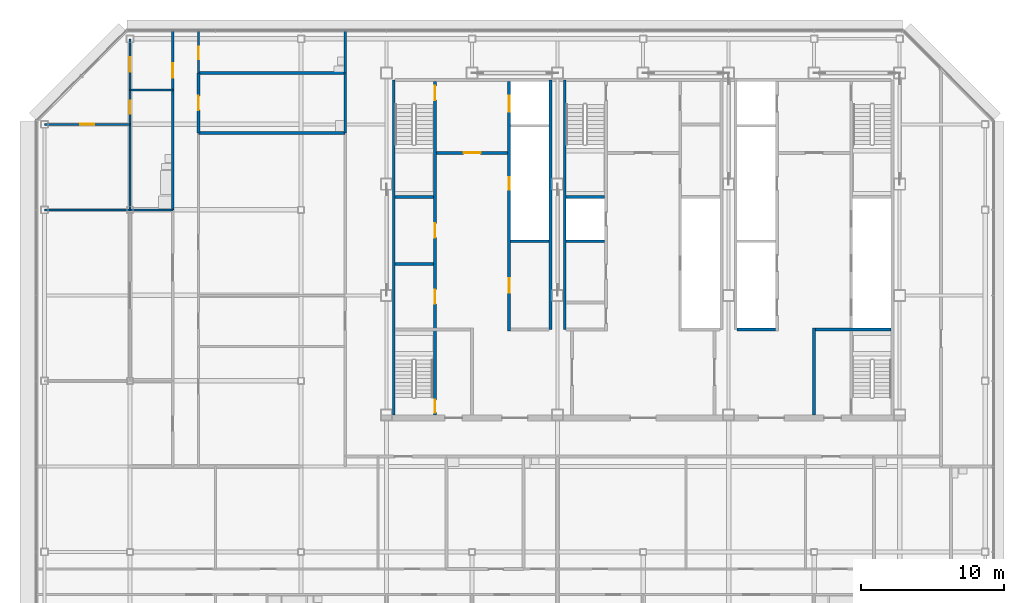
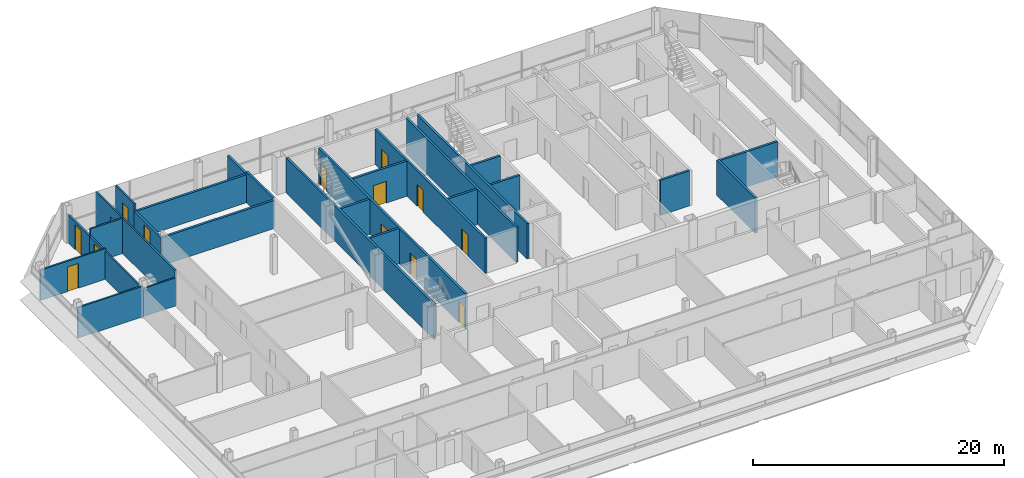
# One storey, part 23 of 27: 28 walls, 14 doors, 14 openings.
"""IFC4 building model written with IfcOpenShell, lengths in metres."""

from ifc_helpers import new_model, si_unit, direction, frame, frame_2d, origin, place, context, subcontext, project, spatial, rectangle, extrude, material, layer, layer_set, type_object, element, fill, save


model = new_model("IFC4")

# Units and contexts
model_context = context("Model", 3, precision=1e-05, world=origin(), true_north=direction((0.0, 1.0)))
body_context = subcontext(model_context, "Body", "Model", "MODEL_VIEW")
ifc_project = project(units=[si_unit("LENGTHUNIT", "METRE"), si_unit("AREAUNIT", "SQUARE_METRE"), si_unit("VOLUMEUNIT", "CUBIC_METRE"), si_unit("PLANEANGLEUNIT", "RADIAN"), si_unit("MASSUNIT", "GRAM", prefix="KILO")], contexts=[model_context])

# Site, building, storey
site_placement = place(None, origin())
site = spatial("IfcSite", under=ifc_project, at=site_placement, CompositionType="ELEMENT")
building_placement = place(site_placement, origin())
building = spatial("IfcBuilding", under=site, at=building_placement, Name="Sorahane Residences", CompositionType="ELEMENT")
storey_placement = place(building_placement, frame((0.0, 0.0, 312.39990234375)))
storey = spatial("IfcBuildingStorey", under=building, at=storey_placement, Name="L74", CompositionType="ELEMENT", Elevation=312.39990234375)

# Walls
ifc_material_1 = material(Name="Concrete C30", Category="concrete")
ifc_layer_1 = layer(ifc_material_1, 0.199951171875)
ifc_layer_set_1 = layer_set([ifc_layer_1], Name="Core face wall 200 EI 180")
wall_type_1 = type_object("IfcWallType", Name="Core face wall 200 EI 180", PredefinedType="SOLIDWALL", material=ifc_layer_set_1)
wall_1_placement = place(storey_placement, frame((6.5, 21.60009765625, 0.0), z_axis=(0.0, 0.0, 1.0), x_axis=(0.0, 1.0, 0.0)))
element("IfcWall", 1, at=wall_1_placement, inside=storey, type_object=wall_type_1, Name="L74 core face wall", PredefinedType="SOLIDWALL", context=body_context, shape_type="SweptSolid", body=[
    extrude(rectangle(XDim=23.5, YDim=0.199951171875, at=frame_2d((11.75, 0.0))), origin(), (0.0, 0.0, 1.0), 3.420166015625),
])
for number, where, z_axis, x_axis, name in (
    (2, (17.5, 27.60009765625, 0.0), (0.0, 0.0, 1.0), (0.0, 1.0, 0.0), "L74 core face wall"),
    (3, (18.5, 27.60009765625, 0.0), (0.0, 0.0, 1.0), (0.0, 1.0, 0.0), "L74 core face wall"),
):
    element("IfcWall", number, at=place(storey_placement, frame(where, z_axis=z_axis, x_axis=x_axis)), inside=storey, type_object=wall_type_1, Name=name, PredefinedType="SOLIDWALL", context=body_context, shape_type="SweptSolid", body=[
        extrude(rectangle(XDim=17.5, YDim=0.199951171875, at=frame_2d((8.75, 0.0))), origin(), (0.0, 0.0, 1.0), 3.420166015625),
    ])
ifc_material_2 = material(Name="Concrete blockwork C20 wall", Category="masonry")
ifc_layer_2 = layer(ifc_material_2, 0.199951171875)
ifc_layer_set_2 = layer_set([ifc_layer_2], Name="Corridor wall 200 EI 120")
wall_type_2 = type_object("IfcWallType", Name="Corridor wall 200 EI 120", PredefinedType="SOLIDWALL", material=ifc_layer_set_2)
wall_2_placement = place(storey_placement, frame((3.10009765625, 45.60009765625, 0.0), z_axis=(0.0, 0.0, 1.0), x_axis=(0.0, 1.0, 0.0)))
element("IfcWall", 4, at=wall_2_placement, inside=storey, type_object=wall_type_2, Name="L74 corridor wall", PredefinedType="SOLIDWALL", context=body_context, shape_type="SweptSolid", body=[
    extrude(rectangle(XDim=3.0, YDim=0.199951171875, at=frame_2d((1.5, 0.0))), origin(), (0.0, 0.0, 1.0), 2.72021484375),
])
ifc_material_3 = material(Name="Concrete C30", Category="concrete")
ifc_layer_3 = layer(ifc_material_3, 0.199951171875)
ifc_layer_set_3 = layer_set([ifc_layer_3], Name="Front room wall 200 EI 120")
wall_type_3 = type_object("IfcWallType", Name="Front room wall 200 EI 120", PredefinedType="PARTITIONING", material=ifc_layer_set_3)
wall_3_placement = place(storey_placement, frame((36.0, 21.60009765625, 0.0), z_axis=(0.0, 0.0, 1.0), x_axis=(0.0, 1.0, 0.0)))
element("IfcWall", 5, at=wall_3_placement, inside=storey, type_object=wall_type_3, Name="L74 front room wall", PredefinedType="PARTITIONING", context=body_context, shape_type="SweptSolid", body=[
    extrude(rectangle(XDim=6.099853515625, YDim=0.199951171875, at=frame_2d((3.0498046875, 0.0))), origin(), (0.0, 0.0, 1.0), 3.420166015625),
])

# Wall, opening, door
wall_4_placement = place(storey_placement, frame((9.5, 40.0, 0.0), z_axis=(0.0, 0.0, 1.0), x_axis=(1.0, 0.0, 0.0)))
wall_4 = element("IfcWall", 6, at=wall_4_placement, inside=storey, type_object=wall_type_3, Name="L74 front room wall", PredefinedType="PARTITIONING", context=body_context, shape_type="SweptSolid", body=[
    extrude(rectangle(XDim=5.0, YDim=0.199951171875, at=frame_2d((2.5, 0.0))), origin(), (0.0, 0.0, 1.0), 3.420166015625),
])
opening_1_placement = place(wall_4_placement, frame((1.89990234375, 0.0, 0.0)))
opening_1 = element("IfcOpeningElement", 7, at=opening_1_placement, cuts=wall_4, Name="Opening L74-C08", PredefinedType="OPENING", context=body_context, shape_type="SweptSolid", body=[
    extrude(rectangle(XDim=1.199951171875, YDim=2.10009765625, at=frame_2d((0.60009765625, 1.050048828125))), frame((0.0, 0.10986328125, 0.0), z_axis=(0.0, -1.0, 0.0), x_axis=(1.0, 0.0, 0.0)), (0.0, 0.0, 1.0), 0.219970703125),
])
ifc_material_4 = material(Name="Steel", Category="steel")
door_type_1 = type_object("IfcDoorType", Name="Front room door 1200x2100 FD120", OperationType="NOTDEFINED", PredefinedType="DOOR", material=ifc_material_4)
door_1_placement = place(opening_1_placement, frame((1.199951171875, 0.0, 0.0), z_axis=(0.0, 0.0, 1.0), x_axis=(-1.0, 0.0, 0.0)))
door_1 = element("IfcDoor", 8, at=door_1_placement, inside=storey, type_object=door_type_1, Name="Front room door Firefighting lobby FF1 front room L74", OperationType="DOUBLE_DOOR_SINGLE_SWING", OverallHeight=2.10009765625, OverallWidth=1.199951171875, PredefinedType="DOOR", context=body_context, shape_type="SweptSolid", body=[
    extrude(rectangle(XDim=1.199951171875, YDim=2.10009765625, at=frame_2d((0.60009765625, 1.050048828125))), frame((0.0, 0.02490234375, 0.0), z_axis=(0.0, -1.0, 0.0), x_axis=(1.0, 0.0, 0.0)), (0.0, 0.0, 1.0), 0.050048828125),
])
fill(opening_1, door_1)

ifc_material_5 = material(Name="Concrete blockwork C20 wall", Category="masonry")
ifc_layer_4 = layer(ifc_material_5, 0.199951171875)
ifc_layer_set_4 = layer_set([ifc_layer_4], Name="Kitchen wall 200 EI 180")
wall_type_4 = type_object("IfcWallType", Name="Kitchen wall 200 EI 180", PredefinedType="SOLIDWALL", material=ifc_layer_set_4)
wall_5_placement = place(storey_placement, frame((-7.199951171875, 41.39990234375, 0.0), z_axis=(0.0, 0.0, 1.0), x_axis=(0.0, 1.0, 0.0)))
wall_5 = element("IfcWall", 9, at=wall_5_placement, inside=storey, type_object=wall_type_4, Name="L74 kitchen wall", PredefinedType="SOLIDWALL", context=body_context, shape_type="SweptSolid", body=[
    extrude(rectangle(XDim=4.2001953125, YDim=0.199951171875, at=frame_2d((2.10009765625, 0.0))), origin(), (0.0, 0.0, 1.0), 2.72021484375),
])
opening_2_placement = place(wall_5_placement, frame((1.60009765625, 0.0, 0.0)))
opening_2 = element("IfcOpeningElement", 10, at=opening_2_placement, cuts=wall_5, Name="Opening L74-29", PredefinedType="OPENING", context=body_context, shape_type="SweptSolid", body=[
    extrude(rectangle(XDim=1.0, YDim=2.39990234375, at=frame_2d((0.5, 1.199951171875))), frame((0.0, 0.10986328125, 0.0), z_axis=(0.0, -1.0, 0.0), x_axis=(1.0, 0.0, 0.0)), (0.0, 0.0, 1.0), 0.219970703125),
])
ifc_material_6 = material(Name="Steel", Category="steel")
door_type_2 = type_object("IfcDoorType", Name="Kitchen door 1000x2400 FD120", OperationType="NOTDEFINED", PredefinedType="DOOR", material=ifc_material_6)
door_2_placement = place(opening_2_placement, frame((1.0, 0.0, 0.0), z_axis=(0.0, 0.0, 1.0), x_axis=(-1.0, 0.0, 0.0)))
door_2 = element("IfcDoor", 11, at=door_2_placement, inside=storey, type_object=door_type_2, Name="Kitchen door L74-29", OperationType="SINGLE_SWING_LEFT", OverallHeight=2.39990234375, OverallWidth=1.0, PredefinedType="DOOR", context=body_context, shape_type="SweptSolid", body=[
    extrude(rectangle(XDim=1.0, YDim=2.39990234375, at=frame_2d((0.5, 1.199951171875))), frame((0.0, 0.02490234375, 0.0), z_axis=(0.0, -1.0, 0.0), x_axis=(1.0, 0.0, 0.0)), (0.0, 0.0, 1.0), 0.050048828125),
])
fill(opening_2, door_2)

# Walls
wall_6_placement = place(storey_placement, frame((3.10009765625, 41.39990234375, 0.0), z_axis=(0.0, 0.0, 1.0), x_axis=(0.0, 1.0, 0.0)))
element("IfcWall", 12, at=wall_6_placement, inside=storey, type_object=wall_type_4, Name="L74 kitchen wall", PredefinedType="SOLIDWALL", context=body_context, shape_type="SweptSolid", body=[
    extrude(rectangle(XDim=4.2001953125, YDim=0.199951171875, at=frame_2d((2.10009765625, 0.0))), origin(), (0.0, 0.0, 1.0), 2.97021484375),
])
for number, where, z_axis, x_axis, name in (
    (13, (-7.199951171875, 41.39990234375, 0.0), (0.0, 0.0, 1.0), (1.0, 0.0, 0.0), "L74 kitchen wall"),
    (14, (-7.199951171875, 45.60009765625, 0.0), (0.0, 0.0, 1.0), (1.0, 0.0, 0.0), "L74 kitchen wall"),
):
    element("IfcWall", number, at=place(storey_placement, frame(where, z_axis=z_axis, x_axis=x_axis)), inside=storey, type_object=wall_type_4, Name=name, PredefinedType="SOLIDWALL", context=body_context, shape_type="SweptSolid", body=[
        extrude(rectangle(XDim=10.300048828125, YDim=0.199951171875, at=frame_2d((5.14990234375, 0.0))), origin(), (0.0, 0.0, 1.0), 2.72021484375),
    ])

# Wall, openings, doors
ifc_material_7 = material(Name="Concrete C30", Category="concrete")
ifc_layer_5 = layer(ifc_material_7, 0.199951171875)
ifc_layer_set_5 = layer_set([ifc_layer_5], Name="Lift shaft wall 200 EI 120")
wall_type_5 = type_object("IfcWallType", Name="Lift shaft wall 200 EI 120", PredefinedType="SOLIDWALL", material=ifc_layer_set_5)
wall_7_placement = place(storey_placement, frame((14.60009765625, 27.5, 0.0), z_axis=(0.0, 0.0, 1.0), x_axis=(0.0, 1.0, 0.0)))
wall_7 = element("IfcWall", 15, at=wall_7_placement, inside=storey, type_object=wall_type_5, Name="L74 lift shaft wall", PredefinedType="SOLIDWALL", context=body_context, shape_type="SweptSolid", body=[
    extrude(rectangle(XDim=17.5, YDim=0.199951171875, at=frame_2d((8.75, 0.0))), origin(), (0.0, 0.0, 1.0), 3.420166015625),
])
opening_3_placement = place(wall_7_placement, frame((15.39990234375, 0.0, 0.0)))
opening_3 = element("IfcOpeningElement", 16, at=opening_3_placement, cuts=wall_7, Name="Opening L74-C17", PredefinedType="OPENING", context=body_context, shape_type="SweptSolid", body=[
    extrude(rectangle(XDim=1.10009765625, YDim=2.10009765625, at=frame_2d((0.550048828125, 1.050048828125))), frame((0.0, 0.10986328125, 0.0), z_axis=(0.0, -1.0, 0.0), x_axis=(1.0, 0.0, 0.0)), (0.0, 0.0, 1.0), 0.219970703125),
])
opening_4_placement = place(wall_7_placement, frame((2.699951171875, 0.0, 0.0)))
opening_4 = element("IfcOpeningElement", 17, at=opening_4_placement, cuts=wall_7, Name="Opening L74-C20", PredefinedType="OPENING", context=body_context, shape_type="SweptSolid", body=[
    extrude(rectangle(XDim=1.0, YDim=2.10009765625, at=frame_2d((0.5, 1.050048828125))), frame((0.0, 0.10986328125, 0.0), z_axis=(0.0, -1.0, 0.0), x_axis=(1.0, 0.0, 0.0)), (0.0, 0.0, 1.0), 0.219970703125),
])
opening_5_placement = place(wall_7_placement, frame((9.89990234375, 0.0, 0.0)))
opening_5 = element("IfcOpeningElement", 18, at=opening_5_placement, cuts=wall_7, Name="Opening L74-C28", PredefinedType="OPENING", context=body_context, shape_type="SweptSolid", body=[
    extrude(rectangle(XDim=0.89990234375, YDim=2.10009765625, at=frame_2d((0.449951171875, 1.050048828125))), frame((0.0, 0.10986328125, 0.0), z_axis=(0.0, -1.0, 0.0), x_axis=(1.0, 0.0, 0.0)), (0.0, 0.0, 1.0), 0.219970703125),
])
ifc_material_8 = material(Name="Aluminium and stainless steel", Category="steel")
door_type_3 = type_object("IfcDoorType", Name="Lift landing door 1100x2100 E 60", OperationType="NOTDEFINED", PredefinedType="DOOR", material=ifc_material_8)
door_3_placement = place(opening_3_placement, origin())
door_3 = element("IfcDoor", 19, at=door_3_placement, inside=storey, type_object=door_type_3, Name="Lift landing door FF1 L74", OperationType="DOUBLE_DOOR_SLIDING", OverallHeight=2.10009765625, OverallWidth=1.10009765625, PredefinedType="DOOR", context=body_context, shape_type="SweptSolid", body=[
    extrude(rectangle(XDim=1.10009765625, YDim=2.10009765625, at=frame_2d((0.550048828125, 1.050048828125))), frame((0.0, 0.02490234375, 0.0), z_axis=(0.0, -1.0, 0.0), x_axis=(1.0, 0.0, 0.0)), (0.0, 0.0, 1.0), 0.050048828125),
])
fill(opening_3, door_3)
ifc_material_9 = material(Name="Steel", Category="steel")
door_type_4 = type_object("IfcDoorType", Name="Riser door 900x2100 FD120", OperationType="NOTDEFINED", PredefinedType="DOOR", material=ifc_material_9)
door_4_placement = place(opening_5_placement, origin())
door_4 = element("IfcDoor", 20, at=door_4_placement, inside=storey, type_object=door_type_4, Name="Riser door R1 L74", OperationType="SINGLE_SWING_LEFT", OverallHeight=2.10009765625, OverallWidth=0.89990234375, PredefinedType="DOOR", context=body_context, shape_type="SweptSolid", body=[
    extrude(rectangle(XDim=0.89990234375, YDim=2.10009765625, at=frame_2d((0.449951171875, 1.050048828125))), frame((0.0, 0.02490234375, 0.0), z_axis=(0.0, -1.0, 0.0), x_axis=(1.0, 0.0, 0.0)), (0.0, 0.0, 1.0), 0.050048828125),
])
fill(opening_5, door_4)
ifc_material_10 = material(Name="Steel", Category="steel")
door_type_5 = type_object("IfcDoorType", Name="Service room door 1000x2100 FD60", OperationType="NOTDEFINED", PredefinedType="DOOR", material=ifc_material_10)
door_5_placement = place(opening_4_placement, frame((1.0, 0.0, 0.0), z_axis=(0.0, 0.0, 1.0), x_axis=(-1.0, 0.0, 0.0)))
door_5 = element("IfcDoor", 21, at=door_5_placement, inside=storey, type_object=door_type_5, Name="Service room door Cinema room L74", OperationType="SINGLE_SWING_RIGHT", OverallHeight=2.10009765625, OverallWidth=1.0, PredefinedType="DOOR", context=body_context, shape_type="SweptSolid", body=[
    extrude(rectangle(XDim=1.0, YDim=2.10009765625, at=frame_2d((0.5, 1.050048828125))), frame((0.0, 0.02490234375, 0.0), z_axis=(0.0, -1.0, 0.0), x_axis=(1.0, 0.0, 0.0)), (0.0, 0.0, 1.0), 0.050048828125),
])
fill(opening_4, door_5)

# Wall
wall_8_placement = place(storey_placement, frame((30.60009765625, 27.60009765625, 0.0), z_axis=(0.0, 0.0, 1.0), x_axis=(1.0, 0.0, 0.0)))
element("IfcWall", 22, at=wall_8_placement, inside=storey, type_object=wall_type_5, Name="L74 lift shaft wall", PredefinedType="SOLIDWALL", context=body_context, shape_type="SweptSolid", body=[
    extrude(rectangle(XDim=2.699951171875, YDim=0.199951171875, at=frame_2d((1.35009765625, 0.0))), origin(), (0.0, 0.0, 1.0), 3.420166015625),
])

# Wall, opening, door
ifc_material_11 = material(Name="Gypsum board partition on steel studs", Category="steel")
ifc_layer_6 = layer(ifc_material_11, 0.14990234375)
ifc_layer_set_6 = layer_set([ifc_layer_6], Name="Partition 150 EI 90")
wall_type_6 = type_object("IfcWallType", Name="Partition 150 EI 90", PredefinedType="PARTITIONING", material=ifc_layer_set_6)
wall_9_placement = place(storey_placement, frame((-12.0, 44.39990234375, 0.0), z_axis=(0.0, 0.0, 1.0), x_axis=(0.0, 1.0, 0.0)))
wall_9 = element("IfcWall", 23, at=wall_9_placement, inside=storey, type_object=wall_type_6, Name="L74 partition", PredefinedType="PARTITIONING", context=body_context, shape_type="SweptSolid", body=[
    extrude(rectangle(XDim=3.60009765625, YDim=0.14990234375, at=frame_2d((1.800048828125, 0.0))), origin(), (0.0, 0.0, 1.0), 2.72021484375),
])
opening_6_placement = place(wall_9_placement, frame((1.300048828125, 0.0, 0.0)))
opening_6 = element("IfcOpeningElement", 24, at=opening_6_placement, cuts=wall_9, Name="Opening L74-35", PredefinedType="OPENING", context=body_context, shape_type="SweptSolid", body=[
    extrude(rectangle(XDim=1.0, YDim=2.39990234375, at=frame_2d((0.5, 1.199951171875))), frame((0.0, 0.0849609375, 0.0), z_axis=(0.0, -1.0, 0.0), x_axis=(1.0, 0.0, 0.0)), (0.0, 0.0, 1.0), 0.169921875),
])
ifc_material_12 = material(Name="Timber veneered fire door", Category="wood")
door_type_6 = type_object("IfcDoorType", Name="Room door 1000x2400 FD30", OperationType="NOTDEFINED", PredefinedType="DOOR", material=ifc_material_12)
door_6_placement = place(opening_6_placement, origin())
door_6 = element("IfcDoor", 25, at=door_6_placement, inside=storey, type_object=door_type_6, Name="Room door L74-35", OperationType="SINGLE_SWING_RIGHT", OverallHeight=2.39990234375, OverallWidth=1.0, PredefinedType="DOOR", context=body_context, shape_type="SweptSolid", body=[
    extrude(rectangle(XDim=1.0, YDim=2.39990234375, at=frame_2d((0.5, 1.199951171875))), frame((0.0, 0.02490234375, 0.0), z_axis=(0.0, -1.0, 0.0), x_axis=(1.0, 0.0, 0.0)), (0.0, 0.0, 1.0), 0.050048828125),
])
fill(opening_6, door_6)

wall_10_placement = place(storey_placement, frame((-9.0, 44.39990234375, 0.0), z_axis=(0.0, 0.0, 1.0), x_axis=(0.0, 1.0, 0.0)))
wall_10 = element("IfcWall", 26, at=wall_10_placement, inside=storey, type_object=wall_type_6, Name="L74 partition", PredefinedType="PARTITIONING", context=body_context, shape_type="SweptSolid", body=[
    extrude(rectangle(XDim=4.2001953125, YDim=0.14990234375, at=frame_2d((2.10009765625, 0.0))), origin(), (0.0, 0.0, 1.0), 3.420166015625),
])
opening_7_placement = place(wall_10_placement, frame((0.8798828125, 0.0, 0.0)))
opening_7 = element("IfcOpeningElement", 27, at=opening_7_placement, cuts=wall_10, Name="Opening L74-33", PredefinedType="OPENING", context=body_context, shape_type="SweptSolid", body=[
    extrude(rectangle(XDim=1.0, YDim=2.39990234375, at=frame_2d((0.5, 1.199951171875))), frame((0.0, 0.0849609375, 0.0), z_axis=(0.0, -1.0, 0.0), x_axis=(1.0, 0.0, 0.0)), (0.0, 0.0, 1.0), 0.169921875),
])
door_7_placement = place(opening_7_placement, origin())
door_7 = element("IfcDoor", 28, at=door_7_placement, inside=storey, type_object=door_type_6, Name="Room door L74-33", OperationType="SINGLE_SWING_RIGHT", OverallHeight=2.39990234375, OverallWidth=1.0, PredefinedType="DOOR", context=body_context, shape_type="SweptSolid", body=[
    extrude(rectangle(XDim=1.0, YDim=2.39990234375, at=frame_2d((0.5, 1.199951171875))), frame((0.0, 0.02490234375, 0.0), z_axis=(0.0, -1.0, 0.0), x_axis=(1.0, 0.0, 0.0)), (0.0, 0.0, 1.0), 0.050048828125),
])
fill(opening_7, door_7)

# Wall
wall_11_placement = place(storey_placement, frame((-18.0, 36.0, 0.0), z_axis=(0.0, 0.0, 1.0), x_axis=(1.0, 0.0, 0.0)))
element("IfcWall", 29, at=wall_11_placement, inside=storey, type_object=wall_type_6, Name="L74 partition", PredefinedType="PARTITIONING", context=body_context, shape_type="SweptSolid", body=[
    extrude(rectangle(XDim=6.0, YDim=0.14990234375, at=frame_2d((3.0, 0.0))), origin(), (0.0, 0.0, 1.0), 2.97021484375),
])

# Wall, opening, door
wall_12_placement = place(storey_placement, frame((-18.0, 42.0, 0.0), z_axis=(0.0, 0.0, 1.0), x_axis=(1.0, 0.0, 0.0)))
wall_12 = element("IfcWall", 30, at=wall_12_placement, inside=storey, type_object=wall_type_6, Name="L74 partition", PredefinedType="PARTITIONING", context=body_context, shape_type="SweptSolid", body=[
    extrude(rectangle(XDim=6.0, YDim=0.14990234375, at=frame_2d((3.0, 0.0))), origin(), (0.0, 0.0, 1.0), 2.97021484375),
])
opening_8_placement = place(wall_12_placement, frame((2.5, 0.0, 0.0)))
opening_8 = element("IfcOpeningElement", 31, at=opening_8_placement, cuts=wall_12, Name="Opening L74-36", PredefinedType="OPENING", context=body_context, shape_type="SweptSolid", body=[
    extrude(rectangle(XDim=1.0, YDim=2.39990234375, at=frame_2d((0.5, 1.199951171875))), frame((0.0, 0.0849609375, 0.0), z_axis=(0.0, -1.0, 0.0), x_axis=(1.0, 0.0, 0.0)), (0.0, 0.0, 1.0), 0.169921875),
])
door_8_placement = place(opening_8_placement, frame((1.0, 0.0, 0.0), z_axis=(0.0, 0.0, 1.0), x_axis=(-1.0, 0.0, 0.0)))
door_8 = element("IfcDoor", 32, at=door_8_placement, inside=storey, type_object=door_type_6, Name="Room door L74-36", OperationType="SINGLE_SWING_LEFT", OverallHeight=2.39990234375, OverallWidth=1.0, PredefinedType="DOOR", context=body_context, shape_type="SweptSolid", body=[
    extrude(rectangle(XDim=1.0, YDim=2.39990234375, at=frame_2d((0.5, 1.199951171875))), frame((0.0, 0.02490234375, 0.0), z_axis=(0.0, -1.0, 0.0), x_axis=(1.0, 0.0, 0.0)), (0.0, 0.0, 1.0), 0.050048828125),
])
fill(opening_8, door_8)

# Walls
ifc_material_13 = material(Name="Concrete C30", Category="concrete")
ifc_layer_7 = layer(ifc_material_13, 0.199951171875)
ifc_layer_set_7 = layer_set([ifc_layer_7], Name="Riser shaft wall 200 EI 120")
wall_type_7 = type_object("IfcWallType", Name="Riser shaft wall 200 EI 120", PredefinedType="SOLIDWALL", material=ifc_layer_set_7)
for number, where, z_axis, x_axis, name in (
    (33, (14.699951171875, 33.800048828125, 0.0), (0.0, 0.0, 1.0), (1.0, 0.0, 0.0), "L74 riser wall"),
    (34, (18.60009765625, 33.800048828125, 0.0), (0.0, 0.0, 1.0), (1.0, 0.0, 0.0), "L74 riser wall"),
):
    element("IfcWall", number, at=place(storey_placement, frame(where, z_axis=z_axis, x_axis=x_axis)), inside=storey, type_object=wall_type_7, Name=name, PredefinedType="SOLIDWALL", context=body_context, shape_type="SweptSolid", body=[
        extrude(rectangle(XDim=2.699951171875, YDim=0.199951171875, at=frame_2d((1.35009765625, 0.0))), origin(), (0.0, 0.0, 1.0), 3.420166015625),
    ])
ifc_material_14 = material(Name="Concrete C30", Category="concrete")
ifc_layer_8 = layer(ifc_material_14, 0.199951171875)
ifc_layer_set_8 = layer_set([ifc_layer_8], Name="Service room partition 200 EI 60")
wall_type_8 = type_object("IfcWallType", Name="Service room partition 200 EI 60", PredefinedType="PARTITIONING", material=ifc_layer_set_8)
wall_13_placement = place(storey_placement, frame((6.60009765625, 32.199951171875, 0.0), z_axis=(0.0, 0.0, 1.0), x_axis=(1.0, 0.0, 0.0)))
element("IfcWall", 35, at=wall_13_placement, inside=storey, type_object=wall_type_8, Name="L74 service room wall", PredefinedType="PARTITIONING", context=body_context, shape_type="SweptSolid", body=[
    extrude(rectangle(XDim=2.699951171875, YDim=0.199951171875, at=frame_2d((1.35009765625, 0.0))), origin(), (0.0, 0.0, 1.0), 3.420166015625),
])

# Wall, openings, doors
ifc_material_15 = material(Name="Concrete C30", Category="concrete")
ifc_layer_9 = layer(ifc_material_15, 0.199951171875)
ifc_layer_set_9 = layer_set([ifc_layer_9], Name="Stair enclosure wall 200 EI 120")
wall_type_9 = type_object("IfcWallType", Name="Stair enclosure wall 200 EI 120", PredefinedType="SOLIDWALL", material=ifc_layer_set_9)
wall_14_placement = place(storey_placement, frame((9.39990234375, 21.60009765625, 0.0), z_axis=(0.0, 0.0, 1.0), x_axis=(0.0, 1.0, 0.0)))
wall_14 = element("IfcWall", 36, at=wall_14_placement, inside=storey, type_object=wall_type_9, Name="L74 stair enclosure wall", PredefinedType="SOLIDWALL", context=body_context, shape_type="SweptSolid", body=[
    extrude(rectangle(XDim=23.39990234375, YDim=0.199951171875, at=frame_2d((11.699951171875, 0.0))), origin(), (0.0, 0.0, 1.0), 3.420166015625),
])
opening_9_placement = place(wall_14_placement, frame((7.800048828125, 0.0, 0.0)))
opening_9 = element("IfcOpeningElement", 37, at=opening_9_placement, cuts=wall_14, Name="Opening L74-C21", PredefinedType="OPENING", context=body_context, shape_type="SweptSolid", body=[
    extrude(rectangle(XDim=1.0, YDim=2.10009765625, at=frame_2d((0.5, 1.050048828125))), frame((0.0, 0.10986328125, 0.0), z_axis=(0.0, -1.0, 0.0), x_axis=(1.0, 0.0, 0.0)), (0.0, 0.0, 1.0), 0.219970703125),
])
opening_10_placement = place(wall_14_placement, frame((12.449951171875, 0.0, 0.0)))
opening_10 = element("IfcOpeningElement", 38, at=opening_10_placement, cuts=wall_14, Name="Opening L74-C22", PredefinedType="OPENING", context=body_context, shape_type="SweptSolid", body=[
    extrude(rectangle(XDim=1.0, YDim=2.10009765625, at=frame_2d((0.5, 1.050048828125))), frame((0.0, 0.10986328125, 0.0), z_axis=(0.0, -1.0, 0.0), x_axis=(1.0, 0.0, 0.0)), (0.0, 0.0, 1.0), 0.219970703125),
])
opening_11_placement = place(wall_14_placement, frame((22.10009765625, 0.0, 0.0)))
opening_11 = element("IfcOpeningElement", 39, at=opening_11_placement, cuts=wall_14, Name="Opening L74-C23", PredefinedType="OPENING", context=body_context, shape_type="SweptSolid", body=[
    extrude(rectangle(XDim=1.0, YDim=2.10009765625, at=frame_2d((0.5, 1.050048828125))), frame((0.0, 0.10986328125, 0.0), z_axis=(0.0, -1.0, 0.0), x_axis=(1.0, 0.0, 0.0)), (0.0, 0.0, 1.0), 0.219970703125),
])
opening_12_placement = place(wall_14_placement, frame((0.175048828125, 0.0, 0.0)))
opening_12 = element("IfcOpeningElement", 40, at=opening_12_placement, cuts=wall_14, Name="Opening L74-C26", PredefinedType="OPENING", context=body_context, shape_type="SweptSolid", body=[
    extrude(rectangle(XDim=0.89990234375, YDim=2.10009765625, at=frame_2d((0.449951171875, 1.050048828125))), frame((0.0, 0.10986328125, 0.0), z_axis=(0.0, -1.0, 0.0), x_axis=(1.0, 0.0, 0.0)), (0.0, 0.0, 1.0), 0.219970703125),
])
door_9_placement = place(opening_9_placement, origin())
door_9 = element("IfcDoor", 41, at=door_9_placement, inside=storey, type_object=door_type_5, Name="Service room door Games room L74", OperationType="SINGLE_SWING_RIGHT", OverallHeight=2.10009765625, OverallWidth=1.0, PredefinedType="DOOR", context=body_context, shape_type="SweptSolid", body=[
    extrude(rectangle(XDim=1.0, YDim=2.10009765625, at=frame_2d((0.5, 1.050048828125))), frame((0.0, 0.02490234375, 0.0), z_axis=(0.0, -1.0, 0.0), x_axis=(1.0, 0.0, 0.0)), (0.0, 0.0, 1.0), 0.050048828125),
])
fill(opening_9, door_9)
door_10_placement = place(opening_10_placement, origin())
door_10 = element("IfcDoor", 42, at=door_10_placement, inside=storey, type_object=door_type_5, Name="Service room door Games room L74", OperationType="SINGLE_SWING_LEFT", OverallHeight=2.10009765625, OverallWidth=1.0, PredefinedType="DOOR", context=body_context, shape_type="SweptSolid", body=[
    extrude(rectangle(XDim=1.0, YDim=2.10009765625, at=frame_2d((0.5, 1.050048828125))), frame((0.0, 0.02490234375, 0.0), z_axis=(0.0, -1.0, 0.0), x_axis=(1.0, 0.0, 0.0)), (0.0, 0.0, 1.0), 0.050048828125),
])
fill(opening_10, door_10)
ifc_material_16 = material(Name="Steel", Category="steel")
door_type_7 = type_object("IfcDoorType", Name="Stair door 1000x2100 FD120", OperationType="NOTDEFINED", PredefinedType="DOOR", material=ifc_material_16)
door_11_placement = place(opening_11_placement, origin())
door_11 = element("IfcDoor", 43, at=door_11_placement, inside=storey, type_object=door_type_7, Name="Stair door S1 L74", OperationType="SINGLE_SWING_LEFT", OverallHeight=2.10009765625, OverallWidth=1.0, PredefinedType="DOOR", context=body_context, shape_type="SweptSolid", body=[
    extrude(rectangle(XDim=1.0, YDim=2.10009765625, at=frame_2d((0.5, 1.050048828125))), frame((0.0, 0.02490234375, 0.0), z_axis=(0.0, -1.0, 0.0), x_axis=(1.0, 0.0, 0.0)), (0.0, 0.0, 1.0), 0.050048828125),
])
fill(opening_11, door_11)
ifc_material_17 = material(Name="Steel", Category="steel")
door_type_8 = type_object("IfcDoorType", Name="Stair door 900x2100 FD120", OperationType="NOTDEFINED", PredefinedType="DOOR", material=ifc_material_17)
door_12_placement = place(opening_12_placement, origin())
door_12 = element("IfcDoor", 44, at=door_12_placement, inside=storey, type_object=door_type_8, Name="Stair door S4 L74", OperationType="SINGLE_SWING_LEFT", OverallHeight=2.10009765625, OverallWidth=0.89990234375, PredefinedType="DOOR", context=body_context, shape_type="SweptSolid", body=[
    extrude(rectangle(XDim=0.89990234375, YDim=2.10009765625, at=frame_2d((0.449951171875, 1.050048828125))), frame((0.0, 0.02490234375, 0.0), z_axis=(0.0, -1.0, 0.0), x_axis=(1.0, 0.0, 0.0)), (0.0, 0.0, 1.0), 0.050048828125),
])
fill(opening_12, door_12)

# Walls
wall_15_placement = place(storey_placement, frame((36.10009765625, 27.60009765625, 0.0), z_axis=(0.0, 0.0, 1.0), x_axis=(1.0, 0.0, 0.0)))
element("IfcWall", 45, at=wall_15_placement, inside=storey, type_object=wall_type_9, Name="L74 stair enclosure wall", PredefinedType="SOLIDWALL", context=body_context, shape_type="SweptSolid", body=[
    extrude(rectangle(XDim=5.2998046875, YDim=0.199951171875, at=frame_2d((2.64990234375, 0.0))), origin(), (0.0, 0.0, 1.0), 3.420166015625),
])
for number, where, z_axis, x_axis, name in (
    (46, (18.60009765625, 36.89990234375, 0.0), (0.0, 0.0, 1.0), (1.0, 0.0, 0.0), "L74 stair enclosure wall"),
    (47, (6.60009765625, 36.89990234375, 0.0), (0.0, 0.0, 1.0), (1.0, 0.0, 0.0), "L74 stair enclosure wall"),
):
    element("IfcWall", number, at=place(storey_placement, frame(where, z_axis=z_axis, x_axis=x_axis)), inside=storey, type_object=wall_type_9, Name=name, PredefinedType="SOLIDWALL", context=body_context, shape_type="SweptSolid", body=[
        extrude(rectangle(XDim=2.699951171875, YDim=0.199951171875, at=frame_2d((1.35009765625, 0.0))), origin(), (0.0, 0.0, 1.0), 3.420166015625),
    ])

# Wall, opening, door
ifc_material_18 = material(Name="Gypsum board partition on steel studs", Category="steel")
ifc_layer_10 = layer(ifc_material_18, 0.14990234375)
ifc_layer_set_10 = layer_set([ifc_layer_10], Name="Wet wall 150 EI 90")
wall_type_10 = type_object("IfcWallType", Name="Wet wall 150 EI 90", PredefinedType="PARTITIONING", material=ifc_layer_set_10)
wall_16_placement = place(storey_placement, frame((-12.0, 36.0, 0.0), z_axis=(0.0, 0.0, 1.0), x_axis=(0.0, 1.0, 0.0)))
wall_16 = element("IfcWall", 48, at=wall_16_placement, inside=storey, type_object=wall_type_10, Name="L74 wet wall", PredefinedType="PARTITIONING", context=body_context, shape_type="SweptSolid", body=[
    extrude(rectangle(XDim=8.39990234375, YDim=0.14990234375, at=frame_2d((4.199951171875, 0.0))), origin(), (0.0, 0.0, 1.0), 2.72021484375),
])
opening_13_placement = place(wall_16_placement, frame((6.75, 0.0, 0.0)))
opening_13 = element("IfcOpeningElement", 49, at=opening_13_placement, cuts=wall_16, Name="Opening L74-37", PredefinedType="OPENING", context=body_context, shape_type="SweptSolid", body=[
    extrude(rectangle(XDim=0.89990234375, YDim=2.39990234375, at=frame_2d((0.449951171875, 1.199951171875))), frame((0.0, 0.0849609375, 0.0), z_axis=(0.0, -1.0, 0.0), x_axis=(1.0, 0.0, 0.0)), (0.0, 0.0, 1.0), 0.169921875),
])
ifc_material_19 = material(Name="Timber veneered fire door", Category="wood")
door_type_9 = type_object("IfcDoorType", Name="Bathroom door 900x2400 FD30", OperationType="NOTDEFINED", PredefinedType="DOOR", material=ifc_material_19)
door_13_placement = place(opening_13_placement, origin())
door_13 = element("IfcDoor", 50, at=door_13_placement, inside=storey, type_object=door_type_9, Name="Bathroom door L74-37", OperationType="SINGLE_SWING_RIGHT", OverallHeight=2.39990234375, OverallWidth=0.89990234375, PredefinedType="DOOR", context=body_context, shape_type="SweptSolid", body=[
    extrude(rectangle(XDim=0.89990234375, YDim=2.39990234375, at=frame_2d((0.449951171875, 1.199951171875))), frame((0.0, 0.02490234375, 0.0), z_axis=(0.0, -1.0, 0.0), x_axis=(1.0, 0.0, 0.0)), (0.0, 0.0, 1.0), 0.050048828125),
])
fill(opening_13, door_13)

wall_17_placement = place(storey_placement, frame((-7.199951171875, 45.60009765625, 0.0), z_axis=(0.0, 0.0, 1.0), x_axis=(0.0, 1.0, 0.0)))
wall_17 = element("IfcWall", 51, at=wall_17_placement, inside=storey, type_object=wall_type_10, Name="L74 wet wall", PredefinedType="PARTITIONING", context=body_context, shape_type="SweptSolid", body=[
    extrude(rectangle(XDim=3.0, YDim=0.14990234375, at=frame_2d((1.5, 0.0))), origin(), (0.0, 0.0, 1.0), 3.420166015625),
])
opening_14_placement = place(wall_17_placement, frame((0.949951171875, 0.0, 0.0)))
opening_14 = element("IfcOpeningElement", 52, at=opening_14_placement, cuts=wall_17, Name="Opening L74-30", PredefinedType="OPENING", context=body_context, shape_type="SweptSolid", body=[
    extrude(rectangle(XDim=0.89990234375, YDim=2.39990234375, at=frame_2d((0.449951171875, 1.199951171875))), frame((0.0, 0.0849609375, 0.0), z_axis=(0.0, -1.0, 0.0), x_axis=(1.0, 0.0, 0.0)), (0.0, 0.0, 1.0), 0.169921875),
])
door_14_placement = place(opening_14_placement, origin())
door_14 = element("IfcDoor", 53, at=door_14_placement, inside=storey, type_object=door_type_9, Name="Bathroom door L74-30", OperationType="SINGLE_SWING_RIGHT", OverallHeight=2.39990234375, OverallWidth=0.89990234375, PredefinedType="DOOR", context=body_context, shape_type="SweptSolid", body=[
    extrude(rectangle(XDim=0.89990234375, YDim=2.39990234375, at=frame_2d((0.449951171875, 1.199951171875))), frame((0.0, 0.02490234375, 0.0), z_axis=(0.0, -1.0, 0.0), x_axis=(1.0, 0.0, 0.0)), (0.0, 0.0, 1.0), 0.050048828125),
])
fill(opening_14, door_14)

# Walls
wall_18_placement = place(storey_placement, frame((-9.0, 36.0, 0.0), z_axis=(0.0, 0.0, 1.0), x_axis=(0.0, 1.0, 0.0)))
element("IfcWall", 54, at=wall_18_placement, inside=storey, type_object=wall_type_10, Name="L74 wet wall", PredefinedType="PARTITIONING", context=body_context, shape_type="SweptSolid", body=[
    extrude(rectangle(XDim=8.39990234375, YDim=0.14990234375, at=frame_2d((4.199951171875, 0.0))), origin(), (0.0, 0.0, 1.0), 3.420166015625),
])
wall_19_placement = place(storey_placement, frame((-12.0, 36.0, 0.0), z_axis=(0.0, 0.0, 1.0), x_axis=(1.0, 0.0, 0.0)))
element("IfcWall", 55, at=wall_19_placement, inside=storey, type_object=wall_type_10, Name="L74 wet wall", PredefinedType="PARTITIONING", context=body_context, shape_type="SweptSolid", body=[
    extrude(rectangle(XDim=3.0, YDim=0.14990234375, at=frame_2d((1.5, 0.0))), origin(), (0.0, 0.0, 1.0), 2.72021484375),
])
wall_20_placement = place(storey_placement, frame((-12.0, 44.39990234375, 0.0), z_axis=(0.0, 0.0, 1.0), x_axis=(1.0, 0.0, 0.0)))
element("IfcWall", 56, at=wall_20_placement, inside=storey, type_object=wall_type_10, Name="L74 wet wall", PredefinedType="PARTITIONING", context=body_context, shape_type="SweptSolid", body=[
    extrude(rectangle(XDim=3.0, YDim=0.14990234375, at=frame_2d((1.5, 0.0))), origin(), (0.0, 0.0, 1.0), 3.420166015625),
])

save(model, "model.ifc")
